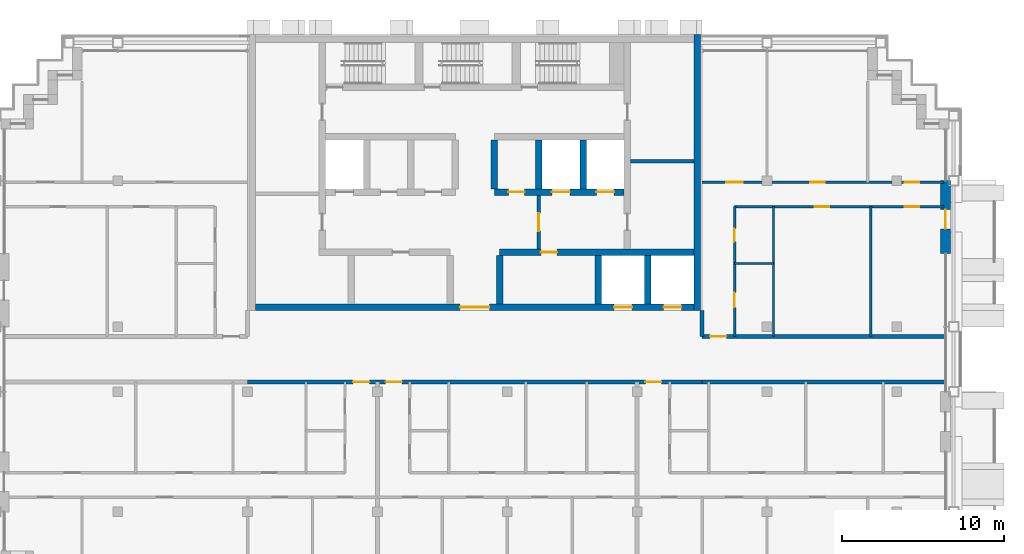
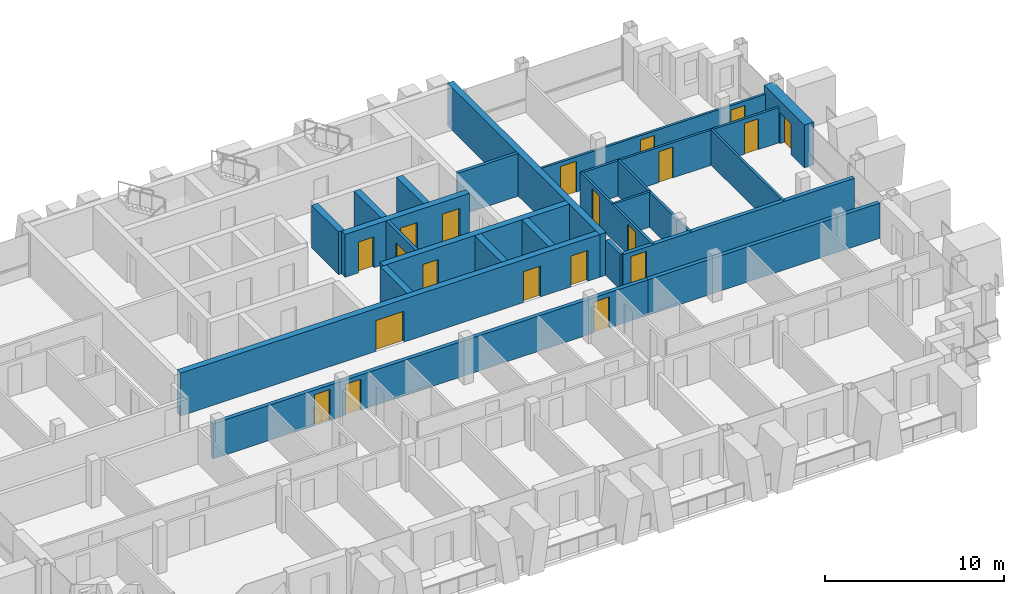
# One storey, part 10 of 16: 23 walls, 20 doors, 20 openings.
"""IFC4 building model written with IfcOpenShell, lengths in metres."""

from ifc_helpers import new_model, si_unit, direction, frame, frame_2d, origin, place, context, subcontext, project, spatial, rectangle, extrude, material, layer, layer_set, type_object, element, fill, save


model = new_model("IFC4")

# Units and contexts
model_context = context("Model", 3, precision=1e-05, world=origin(), true_north=direction((0.0, 1.0)))
body_context = subcontext(model_context, "Body", "Model", "MODEL_VIEW")
ifc_project = project(units=[si_unit("LENGTHUNIT", "METRE"), si_unit("AREAUNIT", "SQUARE_METRE"), si_unit("VOLUMEUNIT", "CUBIC_METRE"), si_unit("PLANEANGLEUNIT", "RADIAN"), si_unit("MASSUNIT", "GRAM", prefix="KILO")], contexts=[model_context])

# Site, building, storey
site_placement = place(None, origin())
site = spatial("IfcSite", under=ifc_project, at=site_placement, CompositionType="ELEMENT")
building_placement = place(site_placement, origin())
building = spatial("IfcBuilding", under=site, at=building_placement, Name="Vidyagriha Tower", CompositionType="ELEMENT")
storey_placement = place(building_placement, frame((0.0, 0.0, 230.0)))
storey = spatial("IfcBuildingStorey", under=building, at=storey_placement, Name="L60", CompositionType="ELEMENT", Elevation=230.0)

# Wall, opening, door
ifc_material_1 = material(Name="Precast concrete C40/50 with brick facing", Category="concrete")
ifc_layer_1 = layer(ifc_material_1, 0.60009765625)
ifc_layer_set_1 = layer_set([ifc_layer_1], Name="Precast concrete C40/50 with brick facing")
wall_type_1 = type_object("IfcWallType", Name="Brick-faced precast wall 600", PredefinedType="STANDARD", material=ifc_layer_set_1)
wall_1_placement = place(storey_placement, frame((29.0, 6.5, 0.0), z_axis=(0.0, 0.0, 1.0), x_axis=(0.0, 1.0, 0.0)))
wall_1 = element("IfcWall", 1, at=wall_1_placement, inside=storey, type_object=wall_type_1, Name="Brick door bay wall L60 R30.6", PredefinedType="STANDARD", context=body_context, shape_type="SweptSolid", body=[
    extrude(rectangle(XDim=4.5, YDim=0.60009765625, at=frame_2d((2.25, 0.0))), origin(), (0.0, 0.0, 1.0), 2.919921875),
])
opening_1_placement = place(wall_1_placement, frame((1.52490234375, 0.0, 0.0)))
opening_1 = element("IfcOpeningElement", 2, at=opening_1_placement, cuts=wall_1, Name="Opening D60-69", PredefinedType="OPENING", context=body_context, shape_type="SweptSolid", body=[
    extrude(rectangle(XDim=1.199951171875, YDim=2.10009765625, at=frame_2d((0.60009765625, 1.050048828125))), frame((0.0, 0.31005859375, 0.0), z_axis=(0.0, -1.0, 0.0), x_axis=(1.0, 0.0, 0.0)), (0.0, 0.0, 1.0), 0.6201171875),
])
ifc_material_2 = material(Name="Aluminium framed glazed sliding door", Category="aluminium")
door_type_1 = type_object("IfcDoorType", Name="Balcony sliding door 1200x2100", OperationType="NOTDEFINED", PredefinedType="DOOR", material=ifc_material_2)
door_1_placement = place(opening_1_placement, origin())
door_1 = element("IfcDoor", 3, at=door_1_placement, inside=storey, type_object=door_type_1, Name="Door D60-69", OperationType="SLIDING_TO_LEFT", OverallHeight=2.10009765625, OverallWidth=1.199951171875, PredefinedType="DOOR", context=body_context, shape_type="SweptSolid", body=[
    extrude(rectangle(XDim=1.199951171875, YDim=2.10009765625, at=frame_2d((0.60009765625, 1.050048828125))), frame((0.0, 0.02490234375, 0.0), z_axis=(0.0, -1.0, 0.0), x_axis=(1.0, 0.0, 0.0)), (0.0, 0.0, 1.0), 0.050048828125),
])
fill(opening_1, door_1)

# Wall
ifc_material_3 = material(Name="Concrete C60/75", Category="concrete")
ifc_layer_2 = layer(ifc_material_3, 0.39990234375)
ifc_layer_set_2 = layer_set([ifc_layer_2], Name="Concrete C60/75")
wall_type_2 = type_object("IfcWallType", Name="Core shear wall 400 mm", PredefinedType="SHEAR", material=ifc_layer_set_2)
wall_2_placement = place(storey_placement, frame((13.699951171875, 3.0, 0.0), z_axis=(0.0, 0.0, 1.0), x_axis=(0.0, 1.0, 0.0)))
element("IfcWall", 4, at=wall_2_placement, inside=storey, type_object=wall_type_2, Name="Core east wall", PredefinedType="SHEAR", context=body_context, shape_type="SweptSolid", body=[
    extrude(rectangle(XDim=17.0, YDim=0.39990234375, at=frame_2d((8.5, 0.0))), origin(), (0.0, 0.0, 1.0), 2.919921875),
])

# Wall, openings, doors
wall_3_placement = place(storey_placement, frame((-13.5, 3.199951171875, 0.0)))
wall_3 = element("IfcWall", 5, at=wall_3_placement, inside=storey, type_object=wall_type_2, Name="Core front wall", PredefinedType="SHEAR", context=body_context, shape_type="SweptSolid", body=[
    extrude(rectangle(XDim=27.0, YDim=0.39990234375, at=frame_2d((13.5, 0.0))), origin(), (0.0, 0.0, 1.0), 2.919921875),
])
opening_2_placement = place(wall_3_placement, frame((22.083251953125, 0.0, 0.0)))
opening_2 = element("IfcOpeningElement", 6, at=opening_2_placement, cuts=wall_3, Name="Opening LD60-01", PredefinedType="OPENING", context=body_context, shape_type="SweptSolid", body=[
    extrude(rectangle(XDim=1.10009765625, YDim=2.10009765625, at=frame_2d((0.550048828125, 1.050048828125))), frame((0.0, 0.2099609375, 0.0), z_axis=(0.0, -1.0, 0.0), x_axis=(1.0, 0.0, 0.0)), (0.0, 0.0, 1.0), 0.419921875),
])
opening_3_placement = place(wall_3_placement, frame((25.127685546875, 0.0, 0.0)))
opening_3 = element("IfcOpeningElement", 7, at=opening_3_placement, cuts=wall_3, Name="Opening LD60-02", PredefinedType="OPENING", context=body_context, shape_type="SweptSolid", body=[
    extrude(rectangle(XDim=1.10009765625, YDim=2.10009765625, at=frame_2d((0.550048828125, 1.050048828125))), frame((0.0, 0.2099609375, 0.0), z_axis=(0.0, -1.0, 0.0), x_axis=(1.0, 0.0, 0.0)), (0.0, 0.0, 1.0), 0.419921875),
])
opening_4_placement = place(wall_3_placement, frame((12.60009765625, 0.0, 0.0)))
opening_4 = element("IfcOpeningElement", 8, at=opening_4_placement, cuts=wall_3, Name="Opening D60-01", PredefinedType="OPENING", context=body_context, shape_type="SweptSolid", body=[
    extrude(rectangle(XDim=1.800048828125, YDim=2.10009765625, at=frame_2d((0.89990234375, 1.050048828125))), frame((0.0, 0.2099609375, 0.0), z_axis=(0.0, -1.0, 0.0), x_axis=(1.0, 0.0, 0.0)), (0.0, 0.0, 1.0), 0.419921875),
])
ifc_material_4 = material(Name="Hollow metal door leaf")
door_type_2 = type_object("IfcDoorType", Name="Core lobby double door 1800 x 2100 mm EI 60", OperationType="NOTDEFINED", PredefinedType="DOOR", material=ifc_material_4)
door_2_placement = place(opening_4_placement, frame((1.800048828125, 0.0, 0.0), z_axis=(0.0, 0.0, 1.0), x_axis=(-1.0, 0.0, 0.0)))
door_2 = element("IfcDoor", 9, at=door_2_placement, inside=storey, type_object=door_type_2, Name="Core entrance door L60", OperationType="DOUBLE_DOOR_SINGLE_SWING", OverallHeight=2.10009765625, OverallWidth=1.800048828125, PredefinedType="DOOR", context=body_context, shape_type="SweptSolid", body=[
    extrude(rectangle(XDim=1.800048828125, YDim=2.10009765625, at=frame_2d((0.89990234375, 1.050048828125))), frame((0.0, 0.02490234375, 0.0), z_axis=(0.0, -1.0, 0.0), x_axis=(1.0, 0.0, 0.0)), (0.0, 0.0, 1.0), 0.050048828125),
])
fill(opening_4, door_2)
ifc_material_5 = material(Name="Stainless steel sliding door panel", Category="steel")
door_type_3 = type_object("IfcDoorType", Name="Lift landing door 1100 x 2100 mm EI 90", OperationType="NOTDEFINED", PredefinedType="DOOR", material=ifc_material_5)
door_3_placement = place(opening_2_placement, origin())
door_3 = element("IfcDoor", 10, at=door_3_placement, inside=storey, type_object=door_type_3, Name="Landing door MR1 L60", OperationType="SLIDING_TO_LEFT", OverallHeight=2.10009765625, OverallWidth=1.10009765625, PredefinedType="DOOR", context=body_context, shape_type="SweptSolid", body=[
    extrude(rectangle(XDim=1.10009765625, YDim=2.10009765625, at=frame_2d((0.550048828125, 1.050048828125))), frame((0.0, 0.02490234375, 0.0), z_axis=(0.0, -1.0, 0.0), x_axis=(1.0, 0.0, 0.0)), (0.0, 0.0, 1.0), 0.050048828125),
])
fill(opening_2, door_3)
door_4_placement = place(opening_3_placement, origin())
door_4 = element("IfcDoor", 11, at=door_4_placement, inside=storey, type_object=door_type_3, Name="Landing door MR2 L60", OperationType="SLIDING_TO_LEFT", OverallHeight=2.10009765625, OverallWidth=1.10009765625, PredefinedType="DOOR", context=body_context, shape_type="SweptSolid", body=[
    extrude(rectangle(XDim=1.10009765625, YDim=2.10009765625, at=frame_2d((0.550048828125, 1.050048828125))), frame((0.0, 0.02490234375, 0.0), z_axis=(0.0, -1.0, 0.0), x_axis=(1.0, 0.0, 0.0)), (0.0, 0.0, 1.0), 0.050048828125),
])
fill(opening_3, door_4)

# Wall, opening, door
wall_4_placement = place(storey_placement, frame((1.522216796875, 6.60009765625, 0.0)))
wall_4 = element("IfcWall", 12, at=wall_4_placement, inside=storey, type_object=wall_type_2, Name="Core lobby south wall east", PredefinedType="SHEAR", context=body_context, shape_type="SweptSolid", body=[
    extrude(rectangle(XDim=11.977783203125, YDim=0.39990234375, at=frame_2d((5.98876953125, 0.0))), origin(), (0.0, 0.0, 1.0), 2.919921875),
])
opening_5_placement = place(wall_4_placement, frame((2.54443359375, 0.0, 0.0)))
opening_5 = element("IfcOpeningElement", 13, at=opening_5_placement, cuts=wall_4, Name="Opening D60-03", PredefinedType="OPENING", context=body_context, shape_type="SweptSolid", body=[
    extrude(rectangle(XDim=1.0, YDim=2.10009765625, at=frame_2d((0.5, 1.050048828125))), frame((0.0, 0.2099609375, 0.0), z_axis=(0.0, -1.0, 0.0), x_axis=(1.0, 0.0, 0.0)), (0.0, 0.0, 1.0), 0.419921875),
])
ifc_material_6 = material(Name="Hollow metal door leaf")
door_type_4 = type_object("IfcDoorType", Name="Core room door 1000 x 2100 mm EI 60", OperationType="NOTDEFINED", PredefinedType="DOOR", material=ifc_material_6)
door_5_placement = place(opening_5_placement, origin())
door_5 = element("IfcDoor", 14, at=door_5_placement, inside=storey, type_object=door_type_4, Name="Door Electrical Room 60.02", OperationType="SINGLE_SWING_RIGHT", OverallHeight=2.10009765625, OverallWidth=1.0, PredefinedType="DOOR", context=body_context, shape_type="SweptSolid", body=[
    extrude(rectangle(XDim=1.0, YDim=2.10009765625, at=frame_2d((0.5, 1.050048828125))), frame((0.0, 0.02490234375, 0.0), z_axis=(0.0, -1.0, 0.0), x_axis=(1.0, 0.0, 0.0)), (0.0, 0.0, 1.0), 0.050048828125),
])
fill(opening_5, door_5)

# Walls
for number, where, z_axis, x_axis, name in (
    (15, (1.522216796875, 3.39990234375, 0.0), (0.0, 0.0, 1.0), (0.0, 1.0, 0.0), "Core bay wall S5"),
    (16, (7.611083984375, 3.39990234375, 0.0), (0.0, 0.0, 1.0), (0.0, 1.0, 0.0), "Core bay wall S7"),
    (17, (10.655517578125, 3.39990234375, 0.0), (0.0, 0.0, 1.0), (0.0, 1.0, 0.0), "Core bay wall S8"),
):
    element("IfcWall", number, at=place(storey_placement, frame(where, z_axis=z_axis, x_axis=x_axis)), inside=storey, type_object=wall_type_2, Name=name, PredefinedType="SHEAR", context=body_context, shape_type="SweptSolid", body=[
        extrude(rectangle(XDim=3.0, YDim=0.39990234375, at=frame_2d((1.5, 0.0))), origin(), (0.0, 0.0, 1.0), 2.919921875),
    ])

# Wall, openings, doors
wall_5_placement = place(storey_placement, frame((1.199951171875, 10.300048828125, 0.0)))
wall_5 = element("IfcWall", 18, at=wall_5_placement, inside=storey, type_object=wall_type_2, Name="Core row N front wall", PredefinedType="SHEAR", context=body_context, shape_type="SweptSolid", body=[
    extrude(rectangle(XDim=8.0, YDim=0.39990234375, at=frame_2d((4.0, 0.0))), origin(), (0.0, 0.0, 1.0), 2.919921875),
])
opening_6_placement = place(wall_5_placement, frame((3.550048828125, 0.0, 0.0)))
opening_6 = element("IfcOpeningElement", 19, at=opening_6_placement, cuts=wall_5, Name="Opening LD60-04", PredefinedType="OPENING", context=body_context, shape_type="SweptSolid", body=[
    extrude(rectangle(XDim=1.10009765625, YDim=2.10009765625, at=frame_2d((0.550048828125, 1.050048828125))), frame((0.0, 0.2099609375, 0.0), z_axis=(0.0, -1.0, 0.0), x_axis=(1.0, 0.0, 0.0)), (0.0, 0.0, 1.0), 0.419921875),
])
opening_7_placement = place(wall_5_placement, frame((6.283203125, 0.0, 0.0)))
opening_7 = element("IfcOpeningElement", 20, at=opening_7_placement, cuts=wall_5, Name="Opening LD60-05", PredefinedType="OPENING", context=body_context, shape_type="SweptSolid", body=[
    extrude(rectangle(XDim=1.10009765625, YDim=2.10009765625, at=frame_2d((0.550048828125, 1.050048828125))), frame((0.0, 0.2099609375, 0.0), z_axis=(0.0, -1.0, 0.0), x_axis=(1.0, 0.0, 0.0)), (0.0, 0.0, 1.0), 0.419921875),
])
opening_8_placement = place(wall_5_placement, frame((0.86669921875, 0.0, 0.0)))
opening_8 = element("IfcOpeningElement", 21, at=opening_8_placement, cuts=wall_5, Name="Opening D60-06", PredefinedType="OPENING", context=body_context, shape_type="SweptSolid", body=[
    extrude(rectangle(XDim=1.0, YDim=2.10009765625, at=frame_2d((0.5, 1.050048828125))), frame((0.0, 0.2099609375, 0.0), z_axis=(0.0, -1.0, 0.0), x_axis=(1.0, 0.0, 0.0)), (0.0, 0.0, 1.0), 0.419921875),
])
door_6_placement = place(opening_8_placement, frame((1.0, 0.0, 0.0), z_axis=(0.0, 0.0, 1.0), x_axis=(-1.0, 0.0, 0.0)))
door_6 = element("IfcDoor", 22, at=door_6_placement, inside=storey, type_object=door_type_4, Name="Door Electrical Room 60.16", OperationType="SINGLE_SWING_LEFT", OverallHeight=2.10009765625, OverallWidth=1.0, PredefinedType="DOOR", context=body_context, shape_type="SweptSolid", body=[
    extrude(rectangle(XDim=1.0, YDim=2.10009765625, at=frame_2d((0.5, 1.050048828125))), frame((0.0, 0.02490234375, 0.0), z_axis=(0.0, -1.0, 0.0), x_axis=(1.0, 0.0, 0.0)), (0.0, 0.0, 1.0), 0.050048828125),
])
fill(opening_8, door_6)
door_7_placement = place(opening_6_placement, origin())
door_7 = element("IfcDoor", 23, at=door_7_placement, inside=storey, type_object=door_type_3, Name="Landing door FF1 L60", OperationType="SLIDING_TO_LEFT", OverallHeight=2.10009765625, OverallWidth=1.10009765625, PredefinedType="DOOR", context=body_context, shape_type="SweptSolid", body=[
    extrude(rectangle(XDim=1.10009765625, YDim=2.10009765625, at=frame_2d((0.550048828125, 1.050048828125))), frame((0.0, 0.02490234375, 0.0), z_axis=(0.0, -1.0, 0.0), x_axis=(1.0, 0.0, 0.0)), (0.0, 0.0, 1.0), 0.050048828125),
])
fill(opening_6, door_7)
door_8_placement = place(opening_7_placement, origin())
door_8 = element("IfcDoor", 24, at=door_8_placement, inside=storey, type_object=door_type_3, Name="Landing door FF2 L60", OperationType="SLIDING_TO_LEFT", OverallHeight=2.10009765625, OverallWidth=1.10009765625, PredefinedType="DOOR", context=body_context, shape_type="SweptSolid", body=[
    extrude(rectangle(XDim=1.10009765625, YDim=2.10009765625, at=frame_2d((0.550048828125, 1.050048828125))), frame((0.0, 0.02490234375, 0.0), z_axis=(0.0, -1.0, 0.0), x_axis=(1.0, 0.0, 0.0)), (0.0, 0.0, 1.0), 0.050048828125),
])
fill(opening_7, door_8)

# Walls
for number, where, z_axis, x_axis, name in (
    (25, (1.199951171875, 10.5, 0.0), (0.0, 0.0, 1.0), (0.0, 1.0, 0.0), "Core bay wall N4"),
    (26, (3.933349609375, 10.5, 0.0), (0.0, 0.0, 1.0), (0.0, 1.0, 0.0), "Core bay wall N5"),
    (27, (6.666748046875, 10.5, 0.0), (0.0, 0.0, 1.0), (0.0, 1.0, 0.0), "Core bay wall N6"),
):
    element("IfcWall", number, at=place(storey_placement, frame(where, z_axis=z_axis, x_axis=x_axis)), inside=storey, type_object=wall_type_2, Name=name, PredefinedType="SHEAR", context=body_context, shape_type="SweptSolid", body=[
        extrude(rectangle(XDim=3.0, YDim=0.39990234375, at=frame_2d((1.5, 0.0))), origin(), (0.0, 0.0, 1.0), 2.919921875),
    ])
ifc_material_7 = material(Name="Fired clay brick masonry", Category="masonry")
ifc_layer_3 = layer(ifc_material_7, 0.25)
ifc_layer_set_3 = layer_set([ifc_layer_3], Name="Fired clay brick masonry")
wall_type_3 = type_object("IfcWallType", Name="Fired clay brick corridor wall 250", PredefinedType="PARTITIONING", material=ifc_layer_set_3)
wall_6_placement = place(storey_placement, frame((28.919921875, -1.39990234375, 0.0), z_axis=(0.0, 0.0, 1.0), x_axis=(-1.0, 0.0, 0.0)))
element("IfcWall", 28, at=wall_6_placement, inside=storey, type_object=wall_type_3, Name="Wall all-L60-w064", PredefinedType="PARTITIONING", context=body_context, shape_type="SweptSolid", body=[
    extrude(rectangle(XDim=14.919921875, YDim=0.25, at=frame_2d((7.4599609375, 0.0))), origin(), (0.0, 0.0, 1.0), 2.39990234375),
])

# Wall, opening, door
wall_7_placement = place(storey_placement, frame((14.0, 1.39990234375, 0.0)))
wall_7 = element("IfcWall", 29, at=wall_7_placement, inside=storey, type_object=wall_type_3, Name="Wall all-L60-w096", PredefinedType="PARTITIONING", context=body_context, shape_type="SweptSolid", body=[
    extrude(rectangle(XDim=14.919921875, YDim=0.25, at=frame_2d((7.4599609375, 0.0))), origin(), (0.0, 0.0, 1.0), 2.39990234375),
])
opening_9_placement = place(wall_7_placement, frame((0.5, 0.0, 0.0)))
opening_9 = element("IfcOpeningElement", 30, at=opening_9_placement, cuts=wall_7, Name="Opening D60-59", PredefinedType="OPENING", context=body_context, shape_type="SweptSolid", body=[
    extrude(rectangle(XDim=1.0, YDim=2.10009765625, at=frame_2d((0.5, 1.050048828125))), frame((0.0, 0.135009765625, 0.0), z_axis=(0.0, -1.0, 0.0), x_axis=(1.0, 0.0, 0.0)), (0.0, 0.0, 1.0), 0.27001953125),
])
ifc_material_8 = material(Name="Fire-rated timber door leaf EI 60", Category="wood")
door_type_5 = type_object("IfcDoorType", Name="Flat entrance fire door 1000x2100", OperationType="NOTDEFINED", PredefinedType="DOOR", material=ifc_material_8)
door_9_placement = place(opening_9_placement, origin())
door_9 = element("IfcDoor", 31, at=door_9_placement, inside=storey, type_object=door_type_5, Name="Door D60-59", OperationType="SINGLE_SWING_LEFT", OverallHeight=2.10009765625, OverallWidth=1.0, PredefinedType="DOOR", context=body_context, shape_type="SweptSolid", body=[
    extrude(rectangle(XDim=1.0, YDim=2.10009765625, at=frame_2d((0.5, 1.050048828125))), frame((0.0, 0.02490234375, 0.0), z_axis=(0.0, -1.0, 0.0), x_axis=(1.0, 0.0, 0.0)), (0.0, 0.0, 1.0), 0.050048828125),
])
fill(opening_9, door_9)

# Wall, openings, doors
wall_8_placement = place(storey_placement, frame((14.0, -1.39990234375, 0.0), z_axis=(0.0, 0.0, 1.0), x_axis=(-1.0, 0.0, 0.0)))
wall_8 = element("IfcWall", 32, at=wall_8_placement, inside=storey, type_object=wall_type_3, Name="Wall all-L60-w097", PredefinedType="PARTITIONING", context=body_context, shape_type="SweptSolid", body=[
    extrude(rectangle(XDim=28.0, YDim=0.25, at=frame_2d((14.0, 0.0))), origin(), (0.0, 0.0, 1.0), 2.39990234375),
])
opening_10_placement = place(wall_8_placement, frame((20.5, 0.0, 0.0)))
opening_10 = element("IfcOpeningElement", 33, at=opening_10_placement, cuts=wall_8, Name="Opening D60-24", PredefinedType="OPENING", context=body_context, shape_type="SweptSolid", body=[
    extrude(rectangle(XDim=1.0, YDim=2.10009765625, at=frame_2d((0.5, 1.050048828125))), frame((0.0, 0.135009765625, 0.0), z_axis=(0.0, -1.0, 0.0), x_axis=(1.0, 0.0, 0.0)), (0.0, 0.0, 1.0), 0.27001953125),
])
opening_11_placement = place(wall_8_placement, frame((18.5, 0.0, 0.0)))
opening_11 = element("IfcOpeningElement", 34, at=opening_11_placement, cuts=wall_8, Name="Opening D60-34", PredefinedType="OPENING", context=body_context, shape_type="SweptSolid", body=[
    extrude(rectangle(XDim=1.0, YDim=2.10009765625, at=frame_2d((0.5, 1.050048828125))), frame((0.0, 0.135009765625, 0.0), z_axis=(0.0, -1.0, 0.0), x_axis=(1.0, 0.0, 0.0)), (0.0, 0.0, 1.0), 0.27001953125),
])
opening_12_placement = place(wall_8_placement, frame((2.5, 0.0, 0.0)))
opening_12 = element("IfcOpeningElement", 35, at=opening_12_placement, cuts=wall_8, Name="Opening D60-44", PredefinedType="OPENING", context=body_context, shape_type="SweptSolid", body=[
    extrude(rectangle(XDim=1.0, YDim=2.10009765625, at=frame_2d((0.5, 1.050048828125))), frame((0.0, 0.135009765625, 0.0), z_axis=(0.0, -1.0, 0.0), x_axis=(1.0, 0.0, 0.0)), (0.0, 0.0, 1.0), 0.27001953125),
])
door_10_placement = place(opening_10_placement, origin())
door_10 = element("IfcDoor", 36, at=door_10_placement, inside=storey, type_object=door_type_5, Name="Door D60-24", OperationType="SINGLE_SWING_LEFT", OverallHeight=2.10009765625, OverallWidth=1.0, PredefinedType="DOOR", context=body_context, shape_type="SweptSolid", body=[
    extrude(rectangle(XDim=1.0, YDim=2.10009765625, at=frame_2d((0.5, 1.050048828125))), frame((0.0, 0.02490234375, 0.0), z_axis=(0.0, -1.0, 0.0), x_axis=(1.0, 0.0, 0.0)), (0.0, 0.0, 1.0), 0.050048828125),
])
fill(opening_10, door_10)
door_11_placement = place(opening_11_placement, origin())
door_11 = element("IfcDoor", 37, at=door_11_placement, inside=storey, type_object=door_type_5, Name="Door D60-34", OperationType="SINGLE_SWING_RIGHT", OverallHeight=2.10009765625, OverallWidth=1.0, PredefinedType="DOOR", context=body_context, shape_type="SweptSolid", body=[
    extrude(rectangle(XDim=1.0, YDim=2.10009765625, at=frame_2d((0.5, 1.050048828125))), frame((0.0, 0.02490234375, 0.0), z_axis=(0.0, -1.0, 0.0), x_axis=(1.0, 0.0, 0.0)), (0.0, 0.0, 1.0), 0.050048828125),
])
fill(opening_11, door_11)
door_12_placement = place(opening_12_placement, origin())
door_12 = element("IfcDoor", 38, at=door_12_placement, inside=storey, type_object=door_type_5, Name="Door D60-44", OperationType="SINGLE_SWING_RIGHT", OverallHeight=2.10009765625, OverallWidth=1.0, PredefinedType="DOOR", context=body_context, shape_type="SweptSolid", body=[
    extrude(rectangle(XDim=1.0, YDim=2.10009765625, at=frame_2d((0.5, 1.050048828125))), frame((0.0, 0.02490234375, 0.0), z_axis=(0.0, -1.0, 0.0), x_axis=(1.0, 0.0, 0.0)), (0.0, 0.0, 1.0), 0.050048828125),
])
fill(opening_12, door_12)

# Walls
wall_9_placement = place(storey_placement, frame((14.0, 1.39990234375, 0.0), z_axis=(0.0, 0.0, 1.0), x_axis=(0.0, 1.0, 0.0)))
element("IfcWall", 39, at=wall_9_placement, inside=storey, type_object=wall_type_3, Name="Wall all-L60-w099", PredefinedType="PARTITIONING", context=body_context, shape_type="SweptSolid", body=[
    extrude(rectangle(XDim=1.60009765625, YDim=0.25, at=frame_2d((0.800048828125, 0.0))), origin(), (0.0, 0.0, 1.0), 2.39990234375),
])
ifc_material_9 = material(Name="Gypsum board partition")
ifc_layer_4 = layer(ifc_material_9, 0.14990234375)
ifc_layer_set_4 = layer_set([ifc_layer_4], Name="Gypsum board partition")
wall_type_4 = type_object("IfcWallType", Name="Gypsum board partition 150", PredefinedType="PARTITIONING", material=ifc_layer_set_4)
wall_10_placement = place(storey_placement, frame((16.0, 5.89990234375, 0.0)))
element("IfcWall", 40, at=wall_10_placement, inside=storey, type_object=wall_type_4, Name="Wall all-L60-w083", PredefinedType="PARTITIONING", context=body_context, shape_type="SweptSolid", body=[
    extrude(rectangle(XDim=2.39990234375, YDim=0.14990234375, at=frame_2d((1.199951171875, 0.0))), origin(), (0.0, 0.0, 1.0), 2.39990234375),
])
for number, where, z_axis, x_axis, name in (
    (41, (18.39990234375, 9.39990234375, 0.0), (0.0, 0.0, 1.0), (0.0, -1.0, 0.0), "Wall all-L60-w084"),
    (42, (24.39990234375, 9.39990234375, 0.0), (0.0, 0.0, 1.0), (0.0, -1.0, 0.0), "Wall all-L60-w085"),
):
    element("IfcWall", number, at=place(storey_placement, frame(where, z_axis=z_axis, x_axis=x_axis)), inside=storey, type_object=wall_type_4, Name=name, PredefinedType="PARTITIONING", context=body_context, shape_type="SweptSolid", body=[
        extrude(rectangle(XDim=8.0, YDim=0.14990234375, at=frame_2d((4.0, 0.0))), origin(), (0.0, 0.0, 1.0), 2.39990234375),
    ])

# Wall, openings, doors
wall_11_placement = place(storey_placement, frame((28.909912109375, 9.39990234375, 0.0), z_axis=(0.0, 0.0, 1.0), x_axis=(-1.0, 0.0, 0.0)))
wall_11 = element("IfcWall", 43, at=wall_11_placement, inside=storey, type_object=wall_type_4, Name="Wall all-L60-w086", PredefinedType="PARTITIONING", context=body_context, shape_type="SweptSolid", body=[
    extrude(rectangle(XDim=12.909912109375, YDim=0.14990234375, at=frame_2d((6.455078125, 0.0))), origin(), (0.0, 0.0, 1.0), 2.39990234375),
])
opening_13_placement = place(wall_11_placement, frame((7.06005859375, 0.0, 0.0)))
opening_13 = element("IfcOpeningElement", 44, at=opening_13_placement, cuts=wall_11, Name="Opening D60-54", PredefinedType="OPENING", context=body_context, shape_type="SweptSolid", body=[
    extrude(rectangle(XDim=0.89990234375, YDim=2.10009765625, at=frame_2d((0.449951171875, 1.050048828125))), frame((0.0, 0.0849609375, 0.0), z_axis=(0.0, -1.0, 0.0), x_axis=(1.0, 0.0, 0.0)), (0.0, 0.0, 1.0), 0.169921875),
])
opening_14_placement = place(wall_11_placement, frame((1.533935546875, 0.0, 0.0)))
opening_14 = element("IfcOpeningElement", 45, at=opening_14_placement, cuts=wall_11, Name="Opening D60-55", PredefinedType="OPENING", context=body_context, shape_type="SweptSolid", body=[
    extrude(rectangle(XDim=0.89990234375, YDim=2.10009765625, at=frame_2d((0.449951171875, 1.050048828125))), frame((0.0, 0.0849609375, 0.0), z_axis=(0.0, -1.0, 0.0), x_axis=(1.0, 0.0, 0.0)), (0.0, 0.0, 1.0), 0.169921875),
])
ifc_material_10 = material(Name="Timber door leaf", Category="wood")
door_type_6 = type_object("IfcDoorType", Name="Room door 900x2100", OperationType="NOTDEFINED", PredefinedType="DOOR", material=ifc_material_10)
door_13_placement = place(opening_13_placement, origin())
door_13 = element("IfcDoor", 46, at=door_13_placement, inside=storey, type_object=door_type_6, Name="Door D60-54", OperationType="SINGLE_SWING_RIGHT", OverallHeight=2.10009765625, OverallWidth=0.89990234375, PredefinedType="DOOR", context=body_context, shape_type="SweptSolid", body=[
    extrude(rectangle(XDim=0.89990234375, YDim=2.10009765625, at=frame_2d((0.449951171875, 1.050048828125))), frame((0.0, 0.02490234375, 0.0), z_axis=(0.0, -1.0, 0.0), x_axis=(1.0, 0.0, 0.0)), (0.0, 0.0, 1.0), 0.050048828125),
])
fill(opening_13, door_13)
door_14_placement = place(opening_14_placement, origin())
door_14 = element("IfcDoor", 47, at=door_14_placement, inside=storey, type_object=door_type_6, Name="Door D60-55", OperationType="SINGLE_SWING_LEFT", OverallHeight=2.10009765625, OverallWidth=0.89990234375, PredefinedType="DOOR", context=body_context, shape_type="SweptSolid", body=[
    extrude(rectangle(XDim=0.89990234375, YDim=2.10009765625, at=frame_2d((0.449951171875, 1.050048828125))), frame((0.0, 0.02490234375, 0.0), z_axis=(0.0, -1.0, 0.0), x_axis=(1.0, 0.0, 0.0)), (0.0, 0.0, 1.0), 0.050048828125),
])
fill(opening_14, door_14)

wall_12_placement = place(storey_placement, frame((14.0, 10.89990234375, 0.0)))
wall_12 = element("IfcWall", 48, at=wall_12_placement, inside=storey, type_object=wall_type_4, Name="Wall all-L60-w089", PredefinedType="PARTITIONING", context=body_context, shape_type="SweptSolid", body=[
    extrude(rectangle(XDim=14.909912109375, YDim=0.14990234375, at=frame_2d((7.455078125, 0.0))), origin(), (0.0, 0.0, 1.0), 2.39990234375),
])
opening_15_placement = place(wall_12_placement, frame((1.5, 0.0, 0.0)))
opening_15 = element("IfcOpeningElement", 49, at=opening_15_placement, cuts=wall_12, Name="Opening D60-56", PredefinedType="OPENING", context=body_context, shape_type="SweptSolid", body=[
    extrude(rectangle(XDim=1.0, YDim=2.10009765625, at=frame_2d((0.5, 1.050048828125))), frame((0.0, 0.0849609375, 0.0), z_axis=(0.0, -1.0, 0.0), x_axis=(1.0, 0.0, 0.0)), (0.0, 0.0, 1.0), 0.169921875),
])
opening_16_placement = place(wall_12_placement, frame((6.64990234375, 0.0, 0.0)))
opening_16 = element("IfcOpeningElement", 50, at=opening_16_placement, cuts=wall_12, Name="Opening D60-57", PredefinedType="OPENING", context=body_context, shape_type="SweptSolid", body=[
    extrude(rectangle(XDim=0.89990234375, YDim=2.10009765625, at=frame_2d((0.449951171875, 1.050048828125))), frame((0.0, 0.0849609375, 0.0), z_axis=(0.0, -1.0, 0.0), x_axis=(1.0, 0.0, 0.0)), (0.0, 0.0, 1.0), 0.169921875),
])
opening_17_placement = place(wall_12_placement, frame((12.47607421875, 0.0, 0.0)))
opening_17 = element("IfcOpeningElement", 51, at=opening_17_placement, cuts=wall_12, Name="Opening D60-58", PredefinedType="OPENING", context=body_context, shape_type="SweptSolid", body=[
    extrude(rectangle(XDim=0.89990234375, YDim=2.10009765625, at=frame_2d((0.449951171875, 1.050048828125))), frame((0.0, 0.0849609375, 0.0), z_axis=(0.0, -1.0, 0.0), x_axis=(1.0, 0.0, 0.0)), (0.0, 0.0, 1.0), 0.169921875),
])
ifc_material_11 = material(Name="Timber door leaf", Category="wood")
door_type_7 = type_object("IfcDoorType", Name="Room door 1000x2100", OperationType="NOTDEFINED", PredefinedType="DOOR", material=ifc_material_11)
door_15_placement = place(opening_15_placement, origin())
door_15 = element("IfcDoor", 52, at=door_15_placement, inside=storey, type_object=door_type_7, Name="Door D60-56", OperationType="SINGLE_SWING_RIGHT", OverallHeight=2.10009765625, OverallWidth=1.0, PredefinedType="DOOR", context=body_context, shape_type="SweptSolid", body=[
    extrude(rectangle(XDim=1.0, YDim=2.10009765625, at=frame_2d((0.5, 1.050048828125))), frame((0.0, 0.02490234375, 0.0), z_axis=(0.0, -1.0, 0.0), x_axis=(1.0, 0.0, 0.0)), (0.0, 0.0, 1.0), 0.050048828125),
])
fill(opening_15, door_15)
door_16_placement = place(opening_16_placement, origin())
door_16 = element("IfcDoor", 53, at=door_16_placement, inside=storey, type_object=door_type_6, Name="Door D60-57", OperationType="SINGLE_SWING_RIGHT", OverallHeight=2.10009765625, OverallWidth=0.89990234375, PredefinedType="DOOR", context=body_context, shape_type="SweptSolid", body=[
    extrude(rectangle(XDim=0.89990234375, YDim=2.10009765625, at=frame_2d((0.449951171875, 1.050048828125))), frame((0.0, 0.02490234375, 0.0), z_axis=(0.0, -1.0, 0.0), x_axis=(1.0, 0.0, 0.0)), (0.0, 0.0, 1.0), 0.050048828125),
])
fill(opening_16, door_16)
door_17_placement = place(opening_17_placement, origin())
door_17 = element("IfcDoor", 54, at=door_17_placement, inside=storey, type_object=door_type_6, Name="Door D60-58", OperationType="SINGLE_SWING_RIGHT", OverallHeight=2.10009765625, OverallWidth=0.89990234375, PredefinedType="DOOR", context=body_context, shape_type="SweptSolid", body=[
    extrude(rectangle(XDim=0.89990234375, YDim=2.10009765625, at=frame_2d((0.449951171875, 1.050048828125))), frame((0.0, 0.02490234375, 0.0), z_axis=(0.0, -1.0, 0.0), x_axis=(1.0, 0.0, 0.0)), (0.0, 0.0, 1.0), 0.050048828125),
])
fill(opening_17, door_17)

ifc_material_12 = material(Name="Moisture resistant gypsum board partition")
ifc_layer_5 = layer(ifc_material_12, 0.14990234375)
ifc_layer_set_5 = layer_set([ifc_layer_5], Name="Moisture resistant gypsum board partition")
wall_type_5 = type_object("IfcWallType", Name="Gypsum board wet-area partition 150", PredefinedType="PARTITIONING", material=ifc_layer_set_5)
wall_13_placement = place(storey_placement, frame((16.0, 9.39990234375, 0.0), z_axis=(0.0, 0.0, 1.0), x_axis=(0.0, -1.0, 0.0)))
wall_13 = element("IfcWall", 55, at=wall_13_placement, inside=storey, type_object=wall_type_5, Name="Wall all-L60-w080", PredefinedType="PARTITIONING", context=body_context, shape_type="SweptSolid", body=[
    extrude(rectangle(XDim=8.0, YDim=0.14990234375, at=frame_2d((4.0, 0.0))), origin(), (0.0, 0.0, 1.0), 2.39990234375),
])
opening_18_placement = place(wall_13_placement, frame((5.300048828125, 0.0, 0.0)))
opening_18 = element("IfcOpeningElement", 56, at=opening_18_placement, cuts=wall_13, Name="Opening D60-52", PredefinedType="OPENING", context=body_context, shape_type="SweptSolid", body=[
    extrude(rectangle(XDim=0.89990234375, YDim=2.10009765625, at=frame_2d((0.449951171875, 1.050048828125))), frame((0.0, 0.0849609375, 0.0), z_axis=(0.0, -1.0, 0.0), x_axis=(1.0, 0.0, 0.0)), (0.0, 0.0, 1.0), 0.169921875),
])
opening_19_placement = place(wall_13_placement, frame((1.35009765625, 0.0, 0.0)))
opening_19 = element("IfcOpeningElement", 57, at=opening_19_placement, cuts=wall_13, Name="Opening D60-53", PredefinedType="OPENING", context=body_context, shape_type="SweptSolid", body=[
    extrude(rectangle(XDim=0.800048828125, YDim=2.10009765625, at=frame_2d((0.39990234375, 1.050048828125))), frame((0.0, 0.0849609375, 0.0), z_axis=(0.0, -1.0, 0.0), x_axis=(1.0, 0.0, 0.0)), (0.0, 0.0, 1.0), 0.169921875),
])
ifc_material_13 = material(Name="Timber door leaf", Category="wood")
door_type_8 = type_object("IfcDoorType", Name="Bathroom door 800x2100", OperationType="NOTDEFINED", PredefinedType="DOOR", material=ifc_material_13)
door_18_placement = place(opening_19_placement, origin())
door_18 = element("IfcDoor", 58, at=door_18_placement, inside=storey, type_object=door_type_8, Name="Door D60-53", OperationType="SINGLE_SWING_RIGHT", OverallHeight=2.10009765625, OverallWidth=0.800048828125, PredefinedType="DOOR", context=body_context, shape_type="SweptSolid", body=[
    extrude(rectangle(XDim=0.800048828125, YDim=2.10009765625, at=frame_2d((0.39990234375, 1.050048828125))), frame((0.0, 0.02490234375, 0.0), z_axis=(0.0, -1.0, 0.0), x_axis=(1.0, 0.0, 0.0)), (0.0, 0.0, 1.0), 0.050048828125),
])
fill(opening_19, door_18)
ifc_material_14 = material(Name="Timber door leaf", Category="wood")
door_type_9 = type_object("IfcDoorType", Name="Kitchen door 900x2100", OperationType="NOTDEFINED", PredefinedType="DOOR", material=ifc_material_14)
door_19_placement = place(opening_18_placement, origin())
door_19 = element("IfcDoor", 59, at=door_19_placement, inside=storey, type_object=door_type_9, Name="Door D60-52", OperationType="SINGLE_SWING_LEFT", OverallHeight=2.10009765625, OverallWidth=0.89990234375, PredefinedType="DOOR", context=body_context, shape_type="SweptSolid", body=[
    extrude(rectangle(XDim=0.89990234375, YDim=2.10009765625, at=frame_2d((0.449951171875, 1.050048828125))), frame((0.0, 0.02490234375, 0.0), z_axis=(0.0, -1.0, 0.0), x_axis=(1.0, 0.0, 0.0)), (0.0, 0.0, 1.0), 0.050048828125),
])
fill(opening_18, door_19)

# Wall, opening, door
ifc_material_15 = material(Name="Blockwork 15 MPa", Category="masonry")
ifc_layer_6 = layer(ifc_material_15, 0.199951171875)
ifc_layer_set_6 = layer_set([ifc_layer_6], Name="Blockwork 15 MPa")
wall_type_6 = type_object("IfcWallType", Name="Service room partition 200 mm", PredefinedType="PARTITIONING", material=ifc_layer_set_6)
wall_14_placement = place(storey_placement, frame((3.933349609375, 6.800048828125, 0.0), z_axis=(0.0, 0.0, 1.0), x_axis=(0.0, 1.0, 0.0)))
wall_14 = element("IfcWall", 60, at=wall_14_placement, inside=storey, type_object=wall_type_6, Name="Fire-fighting lobby west wall", PredefinedType="PARTITIONING", context=body_context, shape_type="SweptSolid", body=[
    extrude(rectangle(XDim=3.300048828125, YDim=0.199951171875, at=frame_2d((1.64990234375, 0.0))), origin(), (0.0, 0.0, 1.0), 2.919921875),
])
opening_20_placement = place(wall_14_placement, frame((1.10009765625, 0.0, 0.0)))
opening_20 = element("IfcOpeningElement", 61, at=opening_20_placement, cuts=wall_14, Name="Opening D60-07", PredefinedType="OPENING", context=body_context, shape_type="SweptSolid", body=[
    extrude(rectangle(XDim=1.10009765625, YDim=2.10009765625, at=frame_2d((0.550048828125, 1.050048828125))), frame((0.0, 0.10986328125, 0.0), z_axis=(0.0, -1.0, 0.0), x_axis=(1.0, 0.0, 0.0)), (0.0, 0.0, 1.0), 0.219970703125),
])
ifc_material_16 = material(Name="Hollow metal door leaf")
door_type_10 = type_object("IfcDoorType", Name="Fire-fighting lobby door 1100 x 2100 mm EI 90", OperationType="NOTDEFINED", PredefinedType="DOOR", material=ifc_material_16)
door_20_placement = place(opening_20_placement, origin())
door_20 = element("IfcDoor", 62, at=door_20_placement, inside=storey, type_object=door_type_10, Name="Fire-fighting lobby door L60", OperationType="SINGLE_SWING_RIGHT", OverallHeight=2.10009765625, OverallWidth=1.10009765625, PredefinedType="DOOR", context=body_context, shape_type="SweptSolid", body=[
    extrude(rectangle(XDim=1.10009765625, YDim=2.10009765625, at=frame_2d((0.550048828125, 1.050048828125))), frame((0.0, 0.02490234375, 0.0), z_axis=(0.0, -1.0, 0.0), x_axis=(1.0, 0.0, 0.0)), (0.0, 0.0, 1.0), 0.050048828125),
])
fill(opening_20, door_20)

# Wall
wall_15_placement = place(storey_placement, frame((9.60009765625, 12.199951171875, 0.0)))
element("IfcWall", 63, at=wall_15_placement, inside=storey, type_object=wall_type_6, Name="Core room partition E1", PredefinedType="PARTITIONING", context=body_context, shape_type="SweptSolid", body=[
    extrude(rectangle(XDim=3.89990234375, YDim=0.199951171875, at=frame_2d((1.949951171875, 0.0))), origin(), (0.0, 0.0, 1.0), 2.919921875),
])

save(model, "model.ifc")
